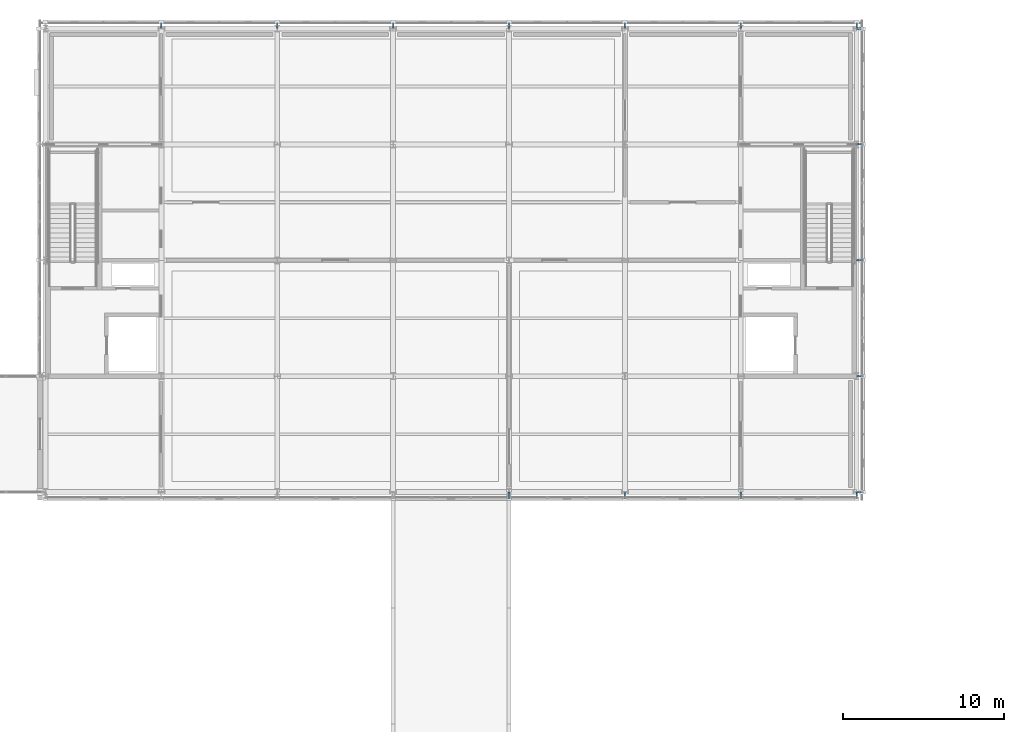
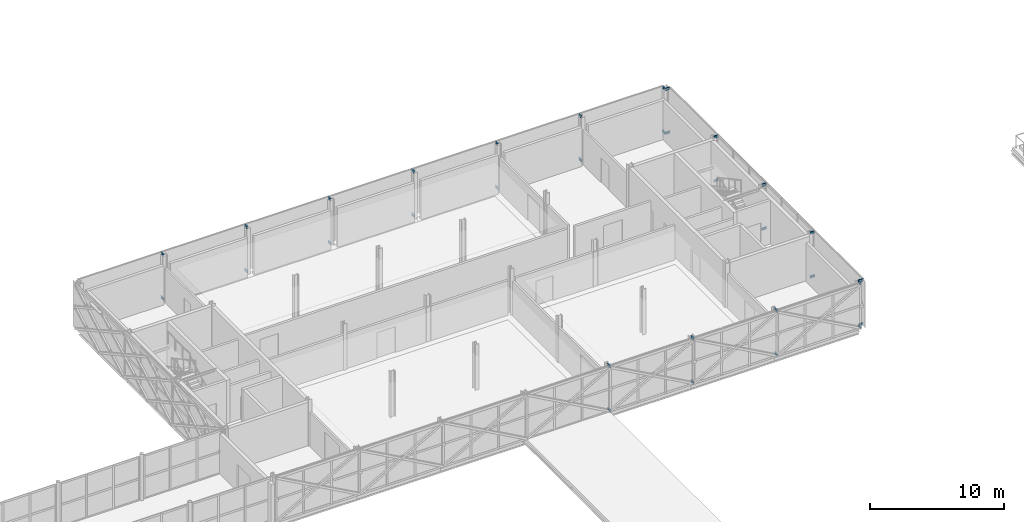
# One storey, part 72 of 126: 32 beams.
"""IFC4 building model written with IfcOpenShell, lengths in metres."""

from ifc_helpers import new_model, si_unit, direction, frame, origin, origin_2d, place, context, subcontext, project, spatial, i_section, extrude, material, material_profile, profile_set, type_object, element, save


model = new_model("IFC4")

# Units and contexts
model_context = context("Model", 3, precision=1e-05, world=origin(), true_north=direction((0.0, 1.0)))
body_context = subcontext(model_context, "Body", "Model", "MODEL_VIEW")
ifc_project = project(units=[si_unit("LENGTHUNIT", "METRE"), si_unit("AREAUNIT", "SQUARE_METRE"), si_unit("VOLUMEUNIT", "CUBIC_METRE"), si_unit("PLANEANGLEUNIT", "RADIAN"), si_unit("MASSUNIT", "GRAM", prefix="KILO")], contexts=[model_context])

# Site, building, storey
site_placement = place(None, origin())
site = spatial("IfcSite", under=ifc_project, at=site_placement, CompositionType="ELEMENT")
building_placement = place(site_placement, origin())
building = spatial("IfcBuilding", under=site, at=building_placement, Name="Zlatovets Crest Museum", CompositionType="ELEMENT")
storey_placement = place(building_placement, frame((0.0, 0.0, 8.699951171875)))
storey = spatial("IfcBuildingStorey", under=building, at=storey_placement, Name="L02", CompositionType="ELEMENT", Elevation=8.699951171875)

# Beams
ifc_material = material(Name="Structural steel S355J2", Category="steel")
ifc_material_profile = material_profile(ifc_material, i_section(OverallWidth=0.10009765625, OverallDepth=0.199951171875, WebThickness=0.005615234375, FlangeThickness=0.008544921875, FilletRadius=0.011962890625, at=origin_2d()), Name="IPE 200")
ifc_profile_set = profile_set([ifc_material_profile], Name="Structural steel S355J2")
beam_type = type_object("IfcBeamType", Name="Beam_PR-02", PredefinedType="LINTEL", material=ifc_profile_set)
for number, where, z_axis, x_axis, name in (
    (1, (86.39990234375, 86.39990234375, 0.10009765625), (0.0, -1.0, 0.0), (1.0, 0.0, 0.0), "Lattice Structural Outrigger Tie"),
    (2, (86.39990234375, 86.39990234375, 4.10009765625), (0.0, -1.0, 0.0), (1.0, 0.0, 0.0), "Lattice Structural Outrigger Tie"),
    (3, (93.60009765625, 86.39990234375, 0.10009765625), (0.0, -1.0, 0.0), (1.0, 0.0, 0.0), "Lattice Structural Outrigger Tie"),
    (4, (93.60009765625, 86.39990234375, 4.10009765625), (0.0, -1.0, 0.0), (1.0, 0.0, 0.0), "Lattice Structural Outrigger Tie"),
    (5, (100.800048828125, 86.39990234375, 0.10009765625), (0.0, -1.0, 0.0), (1.0, 0.0, 0.0), "Lattice Structural Outrigger Tie"),
    (6, (100.800048828125, 86.39990234375, 4.10009765625), (0.0, -1.0, 0.0), (1.0, 0.0, 0.0), "Lattice Structural Outrigger Tie"),
    (7, (108.0, 86.39990234375, 0.10009765625), (0.0, -1.0, 0.0), (1.0, 0.0, 0.0), "Lattice Structural Outrigger Tie"),
    (8, (108.0, 86.39990234375, 4.10009765625), (0.0, -1.0, 0.0), (1.0, 0.0, 0.0), "Lattice Structural Outrigger Tie"),
    (9, (108.0, 86.39990234375, 0.10009765625), (1.0, 0.0, 0.0), (0.0, 1.0, 0.0), "Lattice Structural Outrigger Tie"),
    (10, (108.0, 86.39990234375, 4.10009765625), (1.0, 0.0, 0.0), (0.0, 1.0, 0.0), "Lattice Structural Outrigger Tie"),
    (11, (108.0, 93.60009765625, 0.10009765625), (1.0, 0.0, 0.0), (0.0, 1.0, 0.0), "Lattice Structural Outrigger Tie"),
    (12, (108.0, 93.60009765625, 4.10009765625), (1.0, 0.0, 0.0), (0.0, 1.0, 0.0), "Lattice Structural Outrigger Tie"),
    (13, (108.0, 100.800048828125, 0.10009765625), (1.0, 0.0, 0.0), (0.0, 1.0, 0.0), "Lattice Structural Outrigger Tie"),
    (14, (108.0, 100.800048828125, 4.10009765625), (1.0, 0.0, 0.0), (0.0, 1.0, 0.0), "Lattice Structural Outrigger Tie"),
    (15, (108.0, 108.0, 0.10009765625), (1.0, 0.0, 0.0), (0.0, 1.0, 0.0), "Lattice Structural Outrigger Tie"),
    (16, (108.0, 108.0, 4.10009765625), (1.0, 0.0, 0.0), (0.0, 1.0, 0.0), "Lattice Structural Outrigger Tie"),
    (17, (108.0, 115.199951171875, 0.10009765625), (1.0, 0.0, 0.0), (0.0, 1.0, 0.0), "Lattice Structural Outrigger Tie"),
    (18, (108.0, 115.199951171875, 4.10009765625), (1.0, 0.0, 0.0), (0.0, 1.0, 0.0), "Lattice Structural Outrigger Tie"),
):
    element("IfcBeam", number, at=place(storey_placement, frame(where, z_axis=z_axis, x_axis=x_axis)), inside=storey, type_object=beam_type, Name=name, PredefinedType="LINTEL", context=body_context, shape_type="SweptSolid", body=[
        extrude(i_section(OverallWidth=0.10009765625, OverallDepth=0.199951171875, WebThickness=0.005615234375, FlangeThickness=0.008544921875, FilletRadius=0.011962890625, at=origin_2d()), origin(), (0.0, 0.0, 1.0), 0.419921875),
    ])
for number, where, z_axis, x_axis, name in (
    (19, (108.0, 115.199951171875, 0.10009765625), (0.0, 1.0, 0.0), (-1.0, 0.0, 0.0), "Lattice Structural Outrigger Tie"),
    (20, (108.0, 115.199951171875, 4.10009765625), (0.0, 1.0, 0.0), (-1.0, 0.0, 0.0), "Lattice Structural Outrigger Tie"),
    (21, (100.800048828125, 115.199951171875, 0.10009765625), (0.0, 1.0, 0.0), (-1.0, 0.0, 0.0), "Lattice Structural Outrigger Tie"),
    (22, (100.800048828125, 115.199951171875, 4.10009765625), (0.0, 1.0, 0.0), (-1.0, 0.0, 0.0), "Lattice Structural Outrigger Tie"),
    (23, (93.60009765625, 115.199951171875, 0.10009765625), (0.0, 1.0, 0.0), (-1.0, 0.0, 0.0), "Lattice Structural Outrigger Tie"),
    (24, (93.60009765625, 115.199951171875, 4.10009765625), (0.0, 1.0, 0.0), (-1.0, 0.0, 0.0), "Lattice Structural Outrigger Tie"),
    (25, (86.39990234375, 115.199951171875, 0.10009765625), (0.0, 1.0, 0.0), (-1.0, 0.0, 0.0), "Lattice Structural Outrigger Tie"),
    (26, (86.39990234375, 115.199951171875, 4.10009765625), (0.0, 1.0, 0.0), (-1.0, 0.0, 0.0), "Lattice Structural Outrigger Tie"),
    (27, (79.199951171875, 115.199951171875, 0.10009765625), (0.0, 1.0, 0.0), (-1.0, 0.0, 0.0), "Lattice Structural Outrigger Tie"),
    (28, (79.199951171875, 115.199951171875, 4.10009765625), (0.0, 1.0, 0.0), (-1.0, 0.0, 0.0), "Lattice Structural Outrigger Tie"),
    (29, (72.0, 115.199951171875, 0.10009765625), (0.0, 1.0, 0.0), (-1.0, 0.0, 0.0), "Lattice Structural Outrigger Tie"),
    (30, (72.0, 115.199951171875, 4.10009765625), (0.0, 1.0, 0.0), (-1.0, 0.0, 0.0), "Lattice Structural Outrigger Tie"),
    (31, (64.800048828125, 115.199951171875, 0.10009765625), (0.0, 1.0, 0.0), (-1.0, 0.0, 0.0), "Lattice Structural Outrigger Tie"),
    (32, (64.800048828125, 115.199951171875, 4.10009765625), (0.0, 1.0, 0.0), (-1.0, 0.0, 0.0), "Lattice Structural Outrigger Tie"),
):
    element("IfcBeam", number, at=place(storey_placement, frame(where, z_axis=z_axis, x_axis=x_axis)), inside=storey, type_object=beam_type, Name=name, PredefinedType="LINTEL", context=body_context, shape_type="SweptSolid", body=[
        extrude(i_section(OverallWidth=0.10009765625, OverallDepth=0.199951171875, WebThickness=0.005615234375, FlangeThickness=0.008544921875, FilletRadius=0.011962890625, at=origin_2d()), origin(), (0.0, 0.0, 1.0), 0.420166015625),
    ])

save(model, "model.ifc")
